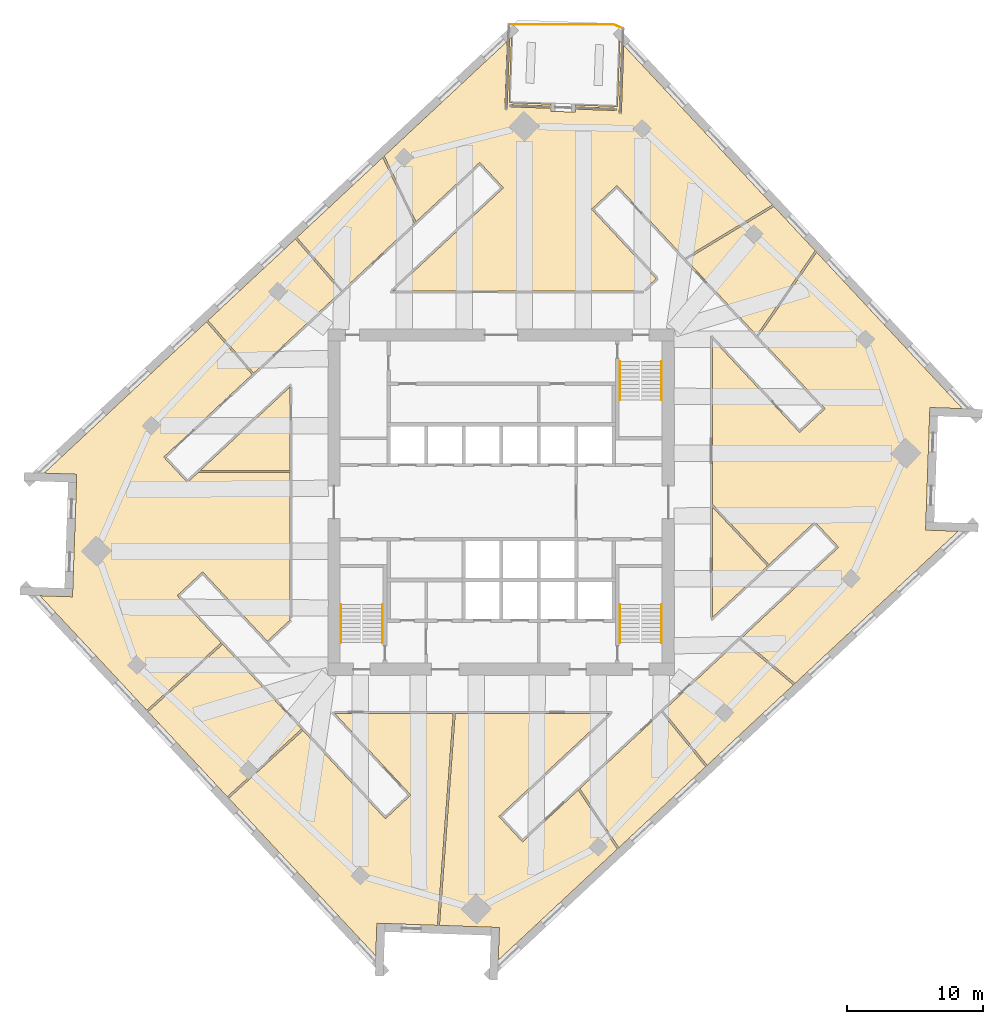
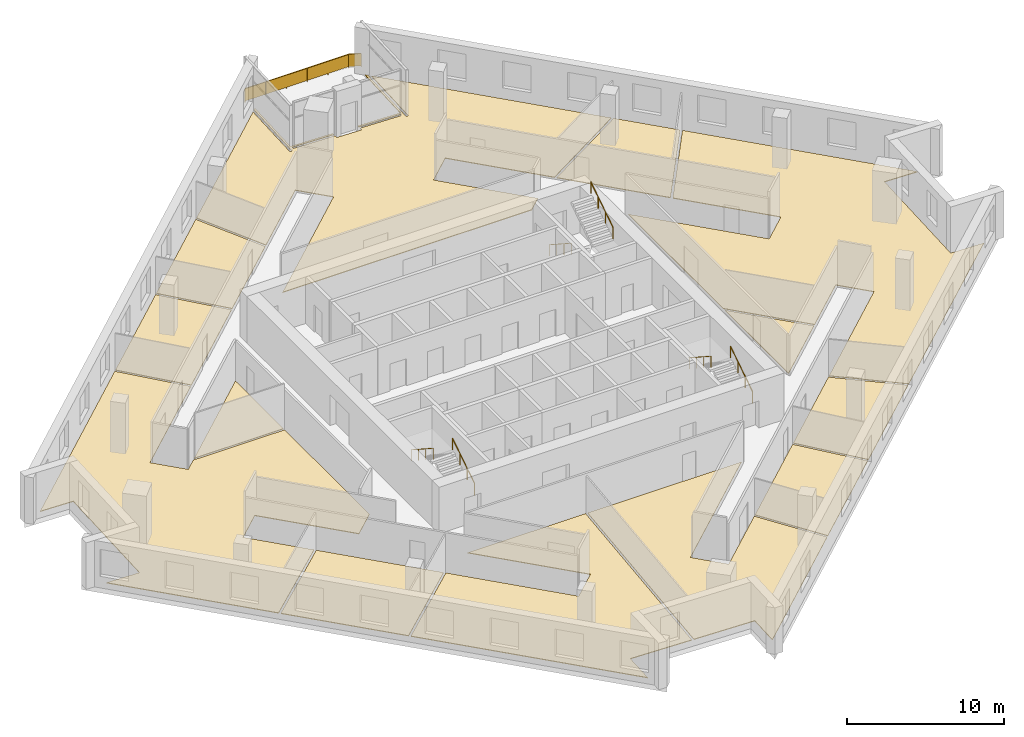
# One storey, part 9 of 10: 13 coverings, 7 railings.
"""IFC4 building model written with IfcOpenShell, lengths in metres."""

from ifc_helpers import new_model, si_unit, direction, frame, origin, origin_2d, place, context, subcontext, project, spatial, polyline, rectangle, circle, outline, extrude, material, layer, layer_set, type_object, element, save


model = new_model("IFC4")

# Units and contexts
model_context = context("Model", 3, precision=1e-05, world=origin(), true_north=direction((0.0, 1.0)))
body_context = subcontext(model_context, "Body", "Model", "MODEL_VIEW")
ifc_project = project(units=[si_unit("LENGTHUNIT", "METRE"), si_unit("AREAUNIT", "SQUARE_METRE"), si_unit("VOLUMEUNIT", "CUBIC_METRE"), si_unit("PLANEANGLEUNIT", "RADIAN"), si_unit("MASSUNIT", "GRAM", prefix="KILO")], contexts=[model_context])

# Site, building, storey
site_placement = place(None, origin())
site = spatial("IfcSite", under=ifc_project, at=site_placement, CompositionType="ELEMENT")
building_placement = place(site_placement, origin())
building = spatial("IfcBuilding", under=site, at=building_placement, Name="Dilmun Exchange Tower", CompositionType="ELEMENT")
storey_placement = place(building_placement, frame((0.0, 0.0, 201.300048828125)))
storey = spatial("IfcBuildingStorey", under=building, at=storey_placement, Name="L47", CompositionType="ELEMENT", Elevation=201.300048828125)

# Coverings
ifc_material_1 = material(Name="Carpet floor finish 50")
ifc_layer_1 = layer(ifc_material_1, 0.050048828125)
ifc_layer_set_1 = layer_set([ifc_layer_1], Name="Carpet floor finish 50")
covering_type_1 = type_object("IfcCoveringType", Name="Carpet floor finish 50", PredefinedType="FLOORING", material=ifc_layer_set_1)
covering_1_placement = place(storey_placement, origin())
element("IfcCovering", 1, at=covering_1_placement, inside=storey, type_object=covering_type_1, Name="Carpet floor finish 50 Members lounge", PredefinedType="FLOORING", context=body_context, shape_type="SweptSolid", body=[
    extrude(outline(polyline([(-18.24169921875, 9.35400390625), (-24.728759765625, 3.304931640625), (-22.98974609375, 1.43994140625), (-22.201171875, 2.175048828125), (-15.47509765625, 2.175048828125), (-15.47509765625, -8.639892578125), (-17.13671875, -10.189208984375), (-21.873779296875, -5.109130859375), (-23.739013671875, -6.848388671875), (-20.514404296875, -10.305908203125), (-25.978271484375, -15.247314453125), (-33.80810546875, -6.850830078125), (-31.41650390625, -6.934326171875), (-31.416259765625, -6.934326171875), (-31.416015625, -6.934326171875), (-31.416015625, -6.934326171875), (-31.415771484375, -6.934326171875), (-31.41552734375, -6.93408203125), (-31.415283203125, -6.93408203125), (-31.415283203125, -6.93408203125), (-31.4150390625, -6.933837890625), (-31.414794921875, -6.93359375), (-31.414794921875, -6.93359375), (-31.41455078125, -6.933349609375), (-31.41455078125, -6.93310546875), (-31.41455078125, -6.93310546875), (-31.414306640625, -6.932861328125), (-31.414306640625, -6.9326171875), (-31.414306640625, -6.9326171875), (-31.393310546875, -6.3330078125), (-31.393310546875, -6.332763671875), (-31.3935546875, -6.33251953125), (-31.3935546875, -6.33251953125), (-31.1220703125, 1.440673828125), (-31.1220703125, 1.44091796875), (-31.1220703125, 1.44091796875), (-31.1220703125, 1.441162109375), (-31.10107421875, 2.040283203125), (-31.10107421875, 2.040283203125), (-31.101318359375, 2.04052734375), (-31.101318359375, 2.040771484375), (-31.101318359375, 2.041015625), (-31.101318359375, 2.041259765625), (-31.101318359375, 2.04150390625), (-31.1015625, 2.04150390625), (-31.101806640625, 2.041748046875), (-31.101806640625, 2.041748046875), (-31.10205078125, 2.0419921875), (-31.10205078125, 2.0419921875), (-31.102294921875, 2.0419921875), (-31.1025390625, 2.042236328125), (-31.102783203125, 2.042236328125), (-31.102783203125, 2.042236328125), (-31.10302734375, 2.042236328125), (-33.49462890625, 2.125732421875), (-21.596435546875, 13.220947265625), (-18.24169921875, 9.35400390625)])), origin(), (0.0, 0.0, 1.0), 0.050048828125),
])
covering_2_placement = place(storey_placement, origin())
element("IfcCovering", 2, at=covering_2_placement, inside=storey, type_object=covering_type_1, Name="Carpet floor finish 50 Meeting room", PredefinedType="FLOORING", context=body_context, shape_type="SweptSolid", body=[
    extrude(outline(polyline([(-20.412109375, -10.415771484375), (-14.627197265625, -16.619384765625), (-20.0693359375, -21.583984375), (-25.8759765625, -15.357177734375), (-20.412109375, -10.415771484375)])), origin(), (0.0, 0.0, 1.0), 0.050048828125),
])
covering_3_placement = place(storey_placement, origin())
element("IfcCovering", 3, at=covering_3_placement, inside=storey, type_object=covering_type_1, Name="Carpet floor finish 50 Business centre 1", PredefinedType="FLOORING", context=body_context, shape_type="SweptSolid", body=[
    extrude(outline(polyline([(-18.132080078125, 9.456298828125), (-21.48681640625, 13.323486328125), (-15.081787109375, 19.2958984375), (-11.736083984375, 15.420654296875), (-18.132080078125, 9.456298828125)])), origin(), (0.0, 0.0, 1.0), 0.050048828125),
])
covering_4_placement = place(storey_placement, origin())
element("IfcCovering", 4, at=covering_4_placement, inside=storey, type_object=covering_type_1, Name="Carpet floor finish 50 Members library 1", PredefinedType="FLOORING", context=body_context, shape_type="SweptSolid", body=[
    extrude(outline(polyline([(-6.353515625, 20.440185546875), (-11.62646484375, 15.52294921875), (-14.971923828125, 19.3984375), (-8.685302734375, 25.260986328125), (-6.353515625, 20.440185546875)])), origin(), (0.0, 0.0, 1.0), 0.050048828125),
])
covering_5_placement = place(storey_placement, origin())
element("IfcCovering", 5, at=covering_5_placement, inside=storey, type_object=covering_type_1, Name="Carpet floor finish 50 Members library 2", PredefinedType="FLOORING", context=body_context, shape_type="SweptSolid", body=[
    extrude(outline(polyline([(-6.62255859375, -21.464111328125), (-12.20751953125, -15.47509765625), (-3.51708984375, -15.47509765625), (-4.67236328125, -31.00927734375), (-8.50732421875, -30.875244140625), (-9.10693359375, -30.854248046875), (-9.107177734375, -30.854248046875), (-9.107421875, -30.8544921875), (-9.107421875, -30.8544921875), (-9.107666015625, -30.8544921875), (-9.10791015625, -30.8544921875), (-9.108154296875, -30.8544921875), (-9.108154296875, -30.854736328125), (-9.1083984375, -30.85498046875), (-9.1083984375, -30.85498046875), (-9.108642578125, -30.855224609375), (-9.108642578125, -30.855224609375), (-9.10888671875, -30.85546875), (-9.10888671875, -30.855712890625), (-9.10888671875, -30.85595703125), (-9.10888671875, -30.856201171875), (-9.10888671875, -30.856201171875), (-9.192626953125, -33.247802734375), (-19.967041015625, -21.693603515625), (-14.52490234375, -16.72900390625), (-8.487548828125, -23.203369140625), (-6.62255859375, -21.464111328125)])), origin(), (0.0, 0.0, 1.0), 0.050048828125),
])
covering_6_placement = place(storey_placement, origin())
element("IfcCovering", 6, at=covering_6_placement, inside=storey, type_object=covering_type_1, Name="Carpet floor finish 50 Co-working hall 1", PredefinedType="FLOORING", context=body_context, shape_type="SweptSolid", body=[
    extrude(outline(polyline([(5.650390625, -21.095703125), (8.51123046875, -25.423095703125), (-0.2158203125, -33.561279296875), (-0.13232421875, -31.169677734375), (-0.13232421875, -31.16943359375), (-0.13232421875, -31.169189453125), (-0.13232421875, -31.169189453125), (-0.132568359375, -31.1689453125), (-0.132568359375, -31.168701171875), (-0.1328125, -31.168701171875), (-0.1328125, -31.16845703125), (-0.1328125, -31.168212890625), (-0.133056640625, -31.168212890625), (-0.13330078125, -31.16796875), (-0.13330078125, -31.16796875), (-0.133544921875, -31.167724609375), (-0.1337890625, -31.167724609375), (-0.1337890625, -31.167724609375), (-0.134033203125, -31.167724609375), (-0.13427734375, -31.167724609375), (-0.7333984375, -31.146728515625), (-0.7333984375, -31.146728515625), (-0.733642578125, -31.146728515625), (-0.73388671875, -31.146728515625), (-4.522216796875, -31.014404296875), (-3.36669921875, -15.47509765625), (7.93896484375, -15.47509765625), (-0.167236328125, -23.0341796875), (1.57177734375, -24.899169921875), (5.650390625, -21.095703125)])), origin(), (0.0, 0.0, 1.0), 0.050048828125),
])
covering_7_placement = place(storey_placement, origin())
element("IfcCovering", 7, at=covering_7_placement, inside=storey, type_object=covering_type_1, Name="Carpet floor finish 50 Garden lounge", PredefinedType="FLOORING", context=body_context, shape_type="SweptSolid", body=[
    extrude(outline(polyline([(-1.57177734375, 24.899169921875), (-6.238525390625, 20.547119140625), (-8.5703125, 25.3681640625), (0.443359375, 33.7734375), (0.268310546875, 28.763427734375), (0.2685546875, 28.76318359375), (0.2685546875, 28.76318359375), (0.2685546875, 28.762939453125), (0.2685546875, 28.7626953125), (0.268798828125, 28.762451171875), (0.268798828125, 28.76220703125), (0.268798828125, 28.76220703125), (0.26904296875, 28.761962890625), (0.26904296875, 28.761962890625), (0.269287109375, 28.76171875), (0.269287109375, 28.76171875), (0.26953125, 28.76171875), (0.269775390625, 28.761474609375), (0.27001953125, 28.761474609375), (0.270263671875, 28.761474609375), (0.2705078125, 28.761474609375), (0.430419921875, 28.755859375), (0.430419921875, 28.755859375), (0.4306640625, 28.755859375), (0.430908203125, 28.755859375), (0.43115234375, 28.755859375), (0.43115234375, 28.756103515625), (0.431396484375, 28.756103515625), (0.431640625, 28.756103515625), (0.431640625, 28.75634765625), (0.431884765625, 28.756591796875), (0.431884765625, 28.756591796875), (0.43212890625, 28.7568359375), (0.43212890625, 28.757080078125), (0.43212890625, 28.757080078125), (0.432373046875, 28.75732421875), (0.432373046875, 28.757568359375), (0.432373046875, 28.7578125), (0.613037109375, 33.931640625), (0.760986328125, 34.069580078125), (0.593505859375, 29.277587890625), (3.65380859375, 29.170654296875), (3.648681640625, 29.027587890625), (0.66357421875, 29.132080078125), (0.663330078125, 29.1318359375), (0.6630859375, 29.1318359375), (0.6630859375, 29.1318359375), (0.662841796875, 29.1318359375), (0.66259765625, 29.131591796875), (0.662353515625, 29.131591796875), (0.662353515625, 29.131591796875), (0.662109375, 29.13134765625), (0.662109375, 29.13134765625), (0.661865234375, 29.131103515625), (0.661865234375, 29.131103515625), (0.66162109375, 29.130859375), (0.66162109375, 29.130615234375), (0.66162109375, 29.13037109375), (0.66162109375, 29.130126953125), (0.66162109375, 29.1298828125), (0.656005859375, 28.97021484375), (0.656005859375, 28.969970703125), (0.656005859375, 28.9697265625), (0.656005859375, 28.969482421875), (0.656005859375, 28.96923828125), (0.656005859375, 28.96923828125), (0.65625, 28.968994140625), (0.65625, 28.96875), (0.656494140625, 28.96875), (0.656494140625, 28.968505859375), (0.65673828125, 28.968505859375), (0.656982421875, 28.96826171875), (0.656982421875, 28.96826171875), (0.6572265625, 28.96826171875), (0.657470703125, 28.968017578125), (0.65771484375, 28.968017578125), (0.65771484375, 28.968017578125), (3.64306640625, 28.86376953125), (3.635498046875, 28.64599609375), (3.635498046875, 28.645751953125), (3.635498046875, 28.6455078125), (3.635498046875, 28.6455078125), (3.635498046875, 28.645263671875), (3.635498046875, 28.64501953125), (3.6357421875, 28.644775390625), (3.6357421875, 28.644775390625), (3.635986328125, 28.64453125), (3.635986328125, 28.644287109375), (3.63623046875, 28.644287109375), (3.636474609375, 28.644287109375), (3.63671875, 28.64404296875), (3.63671875, 28.64404296875), (3.636962890625, 28.643798828125), (3.63720703125, 28.643798828125), (3.63720703125, 28.643798828125), (5.436279296875, 28.5810546875), (5.436279296875, 28.5810546875), (5.4365234375, 28.5810546875), (5.436767578125, 28.5810546875), (5.43701171875, 28.5810546875), (5.437255859375, 28.581298828125), (5.4375, 28.581298828125), (5.4375, 28.581298828125), (5.437744140625, 28.58154296875), (5.437744140625, 28.581787109375), (5.43798828125, 28.581787109375), (5.43798828125, 28.58203125), (5.43798828125, 28.582275390625), (5.438232421875, 28.582275390625), (5.438232421875, 28.58251953125), (5.438232421875, 28.582763671875), (5.438232421875, 28.5830078125), (5.44580078125, 28.80078125), (8.43115234375, 28.696533203125), (8.431396484375, 28.696533203125), (8.431640625, 28.696533203125), (8.431884765625, 28.696533203125), (8.431884765625, 28.69677734375), (8.43212890625, 28.69677734375), (8.432373046875, 28.69677734375), (8.4326171875, 28.697021484375), (8.4326171875, 28.697021484375), (8.432861328125, 28.697265625), (8.432861328125, 28.697509765625), (8.43310546875, 28.697509765625), (8.43310546875, 28.69775390625), (8.43310546875, 28.697998046875), (8.433349609375, 28.697998046875), (8.433349609375, 28.6982421875), (8.433349609375, 28.698486328125), (8.43896484375, 28.8583984375), (8.43896484375, 28.858642578125), (8.43896484375, 28.85888671875), (8.438720703125, 28.85888671875), (8.438720703125, 28.859130859375), (8.438720703125, 28.859375), (8.438720703125, 28.859619140625), (8.4384765625, 28.859619140625), (8.4384765625, 28.85986328125), (8.438232421875, 28.860107421875), (8.43798828125, 28.860107421875), (8.43798828125, 28.860107421875), (8.437744140625, 28.8603515625), (8.4375, 28.8603515625), (8.437255859375, 28.8603515625), (8.437255859375, 28.8603515625), (8.43701171875, 28.860595703125), (5.45166015625, 28.964599609375), (5.456787109375, 29.107666015625), (8.516845703125, 29.000732421875), (8.684326171875, 33.79296875), (8.822265625, 33.64501953125), (8.6416015625, 28.47119140625), (8.6416015625, 28.470947265625), (8.6416015625, 28.470703125), (8.6416015625, 28.470458984375), (8.6416015625, 28.47021484375), (8.641845703125, 28.47021484375), (8.641845703125, 28.469970703125), (8.64208984375, 28.4697265625), (8.64208984375, 28.469482421875), (8.64208984375, 28.469482421875), (8.642333984375, 28.469482421875), (8.642578125, 28.46923828125), (8.642578125, 28.46923828125), (8.642822265625, 28.468994140625), (8.64306640625, 28.468994140625), (8.643310546875, 28.468994140625), (8.6435546875, 28.468994140625), (8.803466796875, 28.46337890625), (8.8037109375, 28.46337890625), (8.8037109375, 28.46337890625), (8.803955078125, 28.46337890625), (8.80419921875, 28.46337890625), (8.80419921875, 28.463623046875), (8.804443359375, 28.463623046875), (8.8046875, 28.4638671875), (8.8046875, 28.4638671875), (8.804931640625, 28.464111328125), (8.80517578125, 28.464111328125), (8.80517578125, 28.46435546875), (8.805419921875, 28.464599609375), (8.805419921875, 28.46484375), (8.805419921875, 28.46484375), (8.805419921875, 28.465087890625), (8.805419921875, 28.46533203125), (8.98046875, 33.475341796875), (19.885986328125, 21.780517578125), (13.448486328125, 17.88330078125), (8.487548828125, 23.203369140625), (6.62255859375, 21.464111328125), (11.35986328125, 16.384033203125), (10.385009765625, 15.47509765625), (-7.93896484375, 15.47509765625), (0.167236328125, 23.0341796875), (-1.57177734375, 24.899169921875)])), origin(), (0.0, 0.0, 1.0), 0.050048828125),
])
covering_8_placement = place(storey_placement, origin())
element("IfcCovering", 8, at=covering_8_placement, inside=storey, type_object=covering_type_1, Name="Carpet floor finish 50 Members library 3", PredefinedType="FLOORING", context=body_context, shape_type="SweptSolid", body=[
    extrude(outline(polyline([(5.76171875, -20.9921875), (11.754638671875, -15.4033203125), (14.985107421875, -19.38623046875), (8.62255859375, -25.3193359375), (5.76171875, -20.9921875)])), origin(), (0.0, 0.0, 1.0), 0.050048828125),
])
covering_9_placement = place(storey_placement, origin())
element("IfcCovering", 9, at=covering_9_placement, inside=storey, type_object=covering_type_1, Name="Carpet floor finish 50 Business centre 2", PredefinedType="FLOORING", context=body_context, shape_type="SweptSolid", body=[
    extrude(outline(polyline([(11.86474609375, -15.30078125), (17.46630859375, -10.0771484375), (21.417724609375, -13.3876953125), (15.09521484375, -19.28369140625), (11.86474609375, -15.30078125)])), origin(), (0.0, 0.0, 1.0), 0.050048828125),
])
covering_10_placement = place(storey_placement, origin())
element("IfcCovering", 10, at=covering_10_placement, inside=storey, type_object=covering_type_1, Name="Carpet floor finish 50 Serviced office", PredefinedType="FLOORING", context=body_context, shape_type="SweptSolid", body=[
    extrude(outline(polyline([(19.990478515625, 21.66845703125), (23.013916015625, 18.426513671875), (18.723876953125, 12.22607421875), (13.552978515625, 17.771484375), (19.990478515625, 21.66845703125)])), origin(), (0.0, 0.0, 1.0), 0.050048828125),
])
covering_11_placement = place(storey_placement, origin())
element("IfcCovering", 11, at=covering_11_placement, inside=storey, type_object=covering_type_1, Name="Carpet floor finish 50 Co-working hall 2", PredefinedType="FLOORING", context=body_context, shape_type="SweptSolid", body=[
    extrude(outline(polyline([(21.873779296875, 5.109375), (23.738525390625, 6.84814453125), (18.82861328125, 12.11376953125), (23.118408203125, 18.314208984375), (33.80810546875, 6.850830078125), (31.41650390625, 6.934326171875), (31.416259765625, 6.934326171875), (31.416015625, 6.934326171875), (31.416015625, 6.934326171875), (31.415771484375, 6.934326171875), (31.41552734375, 6.93408203125), (31.415283203125, 6.93408203125), (31.415283203125, 6.93408203125), (31.4150390625, 6.933837890625), (31.414794921875, 6.93359375), (31.414794921875, 6.93359375), (31.41455078125, 6.933349609375), (31.41455078125, 6.93310546875), (31.41455078125, 6.93310546875), (31.414306640625, 6.932861328125), (31.414306640625, 6.9326171875), (31.414306640625, 6.9326171875), (31.393310546875, 6.3330078125), (31.393310546875, 6.332763671875), (31.3935546875, 6.33251953125), (31.3935546875, 6.33251953125), (31.1220703125, -1.440673828125), (31.1220703125, -1.44091796875), (31.1220703125, -1.44091796875), (31.1220703125, -1.441162109375), (31.10107421875, -2.040283203125), (31.10107421875, -2.040283203125), (31.101318359375, -2.04052734375), (31.101318359375, -2.040771484375), (31.101318359375, -2.041015625), (31.101318359375, -2.041259765625), (31.101318359375, -2.04150390625), (31.1015625, -2.04150390625), (31.101806640625, -2.041748046875), (31.101806640625, -2.041748046875), (31.10205078125, -2.0419921875), (31.10205078125, -2.0419921875), (31.102294921875, -2.0419921875), (31.1025390625, -2.042236328125), (31.102783203125, -2.042236328125), (31.102783203125, -2.042236328125), (31.10302734375, -2.042236328125), (33.49462890625, -2.125732421875), (21.5283203125, -13.284423828125), (17.576904296875, -9.97412109375), (24.728515625, -3.3046875), (22.989501953125, -1.440185546875), (19.625, -4.577392578125), (15.47509765625, -0.127197265625), (15.47509765625, 11.970947265625), (21.873779296875, 5.109375)])), origin(), (0.0, 0.0, 1.0), 0.050048828125),
])

# Railings
ifc_material_2 = material(Name="Stainless steel", Category="steel")
railing_type_1 = type_object("IfcRailingType", Name="Stair handrail 900", PredefinedType="HANDRAIL", material=ifc_material_2)
railing_1_placement = place(storey_placement, frame((8.699951171875, 10.300048828125, 0.181884765625)))
element("IfcRailing", 12, at=railing_1_placement, inside=storey, type_object=railing_type_1, Name="L47 ST1 stair handrail 1", PredefinedType="HANDRAIL", context=body_context, shape_type="SweptSolid", body=[
    extrude(circle(Radius=0.02392578125, at=origin_2d()), frame((0.0, 0.0, 0.8759765625), z_axis=(0.0, -0.838705829183, 0.544584733623), x_axis=(1.0, 0.0, 0.0)), (0.0, 0.0, 1.0), 3.338623046875),
    extrude(circle(Radius=0.02099609375, at=origin_2d()), origin(), (0.0, 0.0, 1.0), 0.851806640625),
    extrude(circle(Radius=0.02099609375, at=origin_2d()), frame((0.0, -0.933349609375, 0.60595703125)), (0.0, 0.0, 1.0), 0.851806640625),
    extrude(circle(Radius=0.02099609375, at=origin_2d()), frame((0.0, -1.86669921875, 1.212158203125)), (0.0, 0.0, 1.0), 0.851806640625),
    extrude(circle(Radius=0.02099609375, at=origin_2d()), frame((0.0, -2.800048828125, 1.818115234375)), (0.0, 0.0, 1.0), 0.851806640625),
])
for number, where, name in (
    (13, (11.75, 7.5, 2.181884765625), "L47 ST1 stair handrail 2"),
    (14, (-8.699951171875, -10.300048828125, 0.181884765625), "L47 ST2 stair handrail 1"),
):
    element("IfcRailing", number, at=place(storey_placement, frame(where)), inside=storey, type_object=railing_type_1, Name=name, PredefinedType="HANDRAIL", context=body_context, shape_type="SweptSolid", body=[
        extrude(circle(Radius=0.02392578125, at=origin_2d()), frame((0.0, 0.0, 0.8759765625), z_axis=(0.0, 0.838705829183, 0.544584733623), x_axis=(-1.0, 0.0, 0.0)), (0.0, 0.0, 1.0), 3.338623046875),
        extrude(circle(Radius=0.02099609375, at=origin_2d()), origin(), (0.0, 0.0, 1.0), 0.851806640625),
        extrude(circle(Radius=0.02099609375, at=origin_2d()), frame((0.0, 0.933349609375, 0.60595703125)), (0.0, 0.0, 1.0), 0.851806640625),
        extrude(circle(Radius=0.02099609375, at=origin_2d()), frame((0.0, 1.86669921875, 1.212158203125)), (0.0, 0.0, 1.0), 0.851806640625),
        extrude(circle(Radius=0.02099609375, at=origin_2d()), frame((0.0, 2.800048828125, 1.818115234375)), (0.0, 0.0, 1.0), 0.851806640625),
    ])
railing_2_placement = place(storey_placement, frame((-11.75, -7.5, 2.181884765625)))
element("IfcRailing", 15, at=railing_2_placement, inside=storey, type_object=railing_type_1, Name="L47 ST2 stair handrail 2", PredefinedType="HANDRAIL", context=body_context, shape_type="SweptSolid", body=[
    extrude(circle(Radius=0.02392578125, at=origin_2d()), frame((0.0, 0.0, 0.8759765625), z_axis=(0.0, -0.838705829183, 0.544584733623), x_axis=(1.0, 0.0, 0.0)), (0.0, 0.0, 1.0), 3.338623046875),
    extrude(circle(Radius=0.02099609375, at=origin_2d()), origin(), (0.0, 0.0, 1.0), 0.851806640625),
    extrude(circle(Radius=0.02099609375, at=origin_2d()), frame((0.0, -0.933349609375, 0.60595703125)), (0.0, 0.0, 1.0), 0.851806640625),
    extrude(circle(Radius=0.02099609375, at=origin_2d()), frame((0.0, -1.86669921875, 1.212158203125)), (0.0, 0.0, 1.0), 0.851806640625),
    extrude(circle(Radius=0.02099609375, at=origin_2d()), frame((0.0, -2.800048828125, 1.818115234375)), (0.0, 0.0, 1.0), 0.851806640625),
])
railing_3_placement = place(storey_placement, frame((11.75, -10.300048828125, 0.181884765625)))
element("IfcRailing", 16, at=railing_3_placement, inside=storey, type_object=railing_type_1, Name="L47 ST3 stair handrail 1", PredefinedType="HANDRAIL", context=body_context, shape_type="SweptSolid", body=[
    extrude(circle(Radius=0.02392578125, at=origin_2d()), frame((0.0, 0.0, 0.8759765625), z_axis=(0.0, 0.838705829183, 0.544584733623), x_axis=(-1.0, 0.0, 0.0)), (0.0, 0.0, 1.0), 3.338623046875),
    extrude(circle(Radius=0.02099609375, at=origin_2d()), origin(), (0.0, 0.0, 1.0), 0.851806640625),
    extrude(circle(Radius=0.02099609375, at=origin_2d()), frame((0.0, 0.933349609375, 0.60595703125)), (0.0, 0.0, 1.0), 0.851806640625),
    extrude(circle(Radius=0.02099609375, at=origin_2d()), frame((0.0, 1.86669921875, 1.212158203125)), (0.0, 0.0, 1.0), 0.851806640625),
    extrude(circle(Radius=0.02099609375, at=origin_2d()), frame((0.0, 2.800048828125, 1.818115234375)), (0.0, 0.0, 1.0), 0.851806640625),
])
railing_4_placement = place(storey_placement, frame((8.699951171875, -7.5, 2.181884765625)))
element("IfcRailing", 17, at=railing_4_placement, inside=storey, type_object=railing_type_1, Name="L47 ST3 stair handrail 2", PredefinedType="HANDRAIL", context=body_context, shape_type="SweptSolid", body=[
    extrude(circle(Radius=0.02392578125, at=origin_2d()), frame((0.0, 0.0, 0.8759765625), z_axis=(0.0, -0.838705829183, 0.544584733623), x_axis=(1.0, 0.0, 0.0)), (0.0, 0.0, 1.0), 3.338623046875),
    extrude(circle(Radius=0.02099609375, at=origin_2d()), origin(), (0.0, 0.0, 1.0), 0.851806640625),
    extrude(circle(Radius=0.02099609375, at=origin_2d()), frame((0.0, -0.933349609375, 0.60595703125)), (0.0, 0.0, 1.0), 0.851806640625),
    extrude(circle(Radius=0.02099609375, at=origin_2d()), frame((0.0, -1.86669921875, 1.212158203125)), (0.0, 0.0, 1.0), 0.851806640625),
    extrude(circle(Radius=0.02099609375, at=origin_2d()), frame((0.0, -2.800048828125, 1.818115234375)), (0.0, 0.0, 1.0), 0.851806640625),
])

# Covering
ifc_material_3 = material(Name="Stone floor finish 50", Category="masonry")
ifc_layer_2 = layer(ifc_material_3, 0.050048828125)
ifc_layer_set_2 = layer_set([ifc_layer_2], Name="Stone floor finish 50")
covering_type_2 = type_object("IfcCoveringType", Name="Stone floor finish 50", PredefinedType="FLOORING", material=ifc_layer_set_2)
covering_12_placement = place(storey_placement, origin())
element("IfcCovering", 18, at=covering_12_placement, inside=storey, type_object=covering_type_2, Name="Stone floor finish 50 Reception", PredefinedType="FLOORING", context=body_context, shape_type="SweptSolid", body=[
    extrude(outline(polyline([(15.47509765625, -8.447509765625), (15.47509765625, -0.34716796875), (19.515380859375, -4.6796875), (15.47509765625, -8.447509765625)])), origin(), (0.0, 0.0, 1.0), 0.050048828125),
])

# Railing
railing_type_2 = type_object("IfcRailingType", Name="Terrace guard 1100 stainless steel", PredefinedType="GUARDRAIL", material=ifc_material_2)
railing_5_placement = place(storey_placement, frame((0.568359375, 35.00341796875, 0.0)))
element("IfcRailing", 19, at=railing_5_placement, inside=storey, type_object=railing_type_2, Name="Terrace guard 1", PredefinedType="GUARDRAIL", context=body_context, shape_type="SweptSolid", body=[
    extrude(circle(Radius=0.02392578125, at=origin_2d()), frame((0.0, 0.0, 1.076171875), z_axis=(0.999999300685, 0.001182636774, 0.0), x_axis=(-0.001182636774, 0.999999300685, 0.0)), (0.0, 0.0, 1.0), 7.63818359375),
    extrude(rectangle(XDim=0.011962890625, YDim=0.951904296875, at=origin_2d()), frame((0.0, 0.0, 0.576171875), z_axis=(0.999999300685, 0.001182636774, 0.0), x_axis=(-0.001182636774, 0.999999300685, 0.0)), (0.0, 0.0, 1.0), 7.63818359375),
    extrude(circle(Radius=0.02392578125, at=origin_2d()), frame((7.63818359375, 0.009033203125, 1.076171875), z_axis=(0.925154780488, -0.379590084353, 0.0), x_axis=(0.379590084353, 0.925154780488, 0.0)), (0.0, 0.0, 1.0), 0.79443359375),
    extrude(rectangle(XDim=0.011962890625, YDim=0.951904296875, at=origin_2d()), frame((7.63818359375, 0.009033203125, 0.576171875), z_axis=(0.925154780488, -0.379590084353, 0.0), x_axis=(0.379590084353, 0.925154780488, 0.0)), (0.0, 0.0, 1.0), 0.79443359375),
    extrude(circle(Radius=0.02099609375, at=origin_2d()), origin(), (0.0, 0.0, 1.0), 1.052001953125),
    extrude(circle(Radius=0.02099609375, at=origin_2d()), frame((1.527587890625, 0.001708984375, 0.0)), (0.0, 0.0, 1.0), 1.052001953125),
    extrude(circle(Radius=0.02099609375, at=origin_2d()), frame((3.05517578125, 0.003662109375, 0.0)), (0.0, 0.0, 1.0), 1.052001953125),
    extrude(circle(Radius=0.02099609375, at=origin_2d()), frame((4.5830078125, 0.00537109375, 0.0)), (0.0, 0.0, 1.0), 1.052001953125),
    extrude(circle(Radius=0.02099609375, at=origin_2d()), frame((6.110595703125, 0.00732421875, 0.0)), (0.0, 0.0, 1.0), 1.052001953125),
    extrude(circle(Radius=0.02099609375, at=origin_2d()), frame((7.63818359375, 0.009033203125, 0.0)), (0.0, 0.0, 1.0), 1.052001953125),
    extrude(circle(Radius=0.02099609375, at=origin_2d()), frame((8.373046875, -0.29248046875, 0.0)), (0.0, 0.0, 1.0), 1.052001953125),
])

# Covering
ifc_material_4 = material(Name="Tile floor finish 50")
ifc_layer_3 = layer(ifc_material_4, 0.050048828125)
ifc_layer_set_3 = layer_set([ifc_layer_3], Name="Tile floor finish 50")
covering_type_3 = type_object("IfcCoveringType", Name="Tile floor finish 50", PredefinedType="FLOORING", material=ifc_layer_set_3)
covering_13_placement = place(storey_placement, origin())
element("IfcCovering", 20, at=covering_13_placement, inside=storey, type_object=covering_type_3, Name="Tile floor finish 50 Pantry", PredefinedType="FLOORING", context=body_context, shape_type="SweptSolid", body=[
    extrude(outline(polyline([(-15.47509765625, 8.447509765625), (-15.47509765625, 2.3251953125), (-22.040283203125, 2.3251953125), (-15.47509765625, 8.447509765625)])), origin(), (0.0, 0.0, 1.0), 0.050048828125),
])

save(model, "model.ifc")
